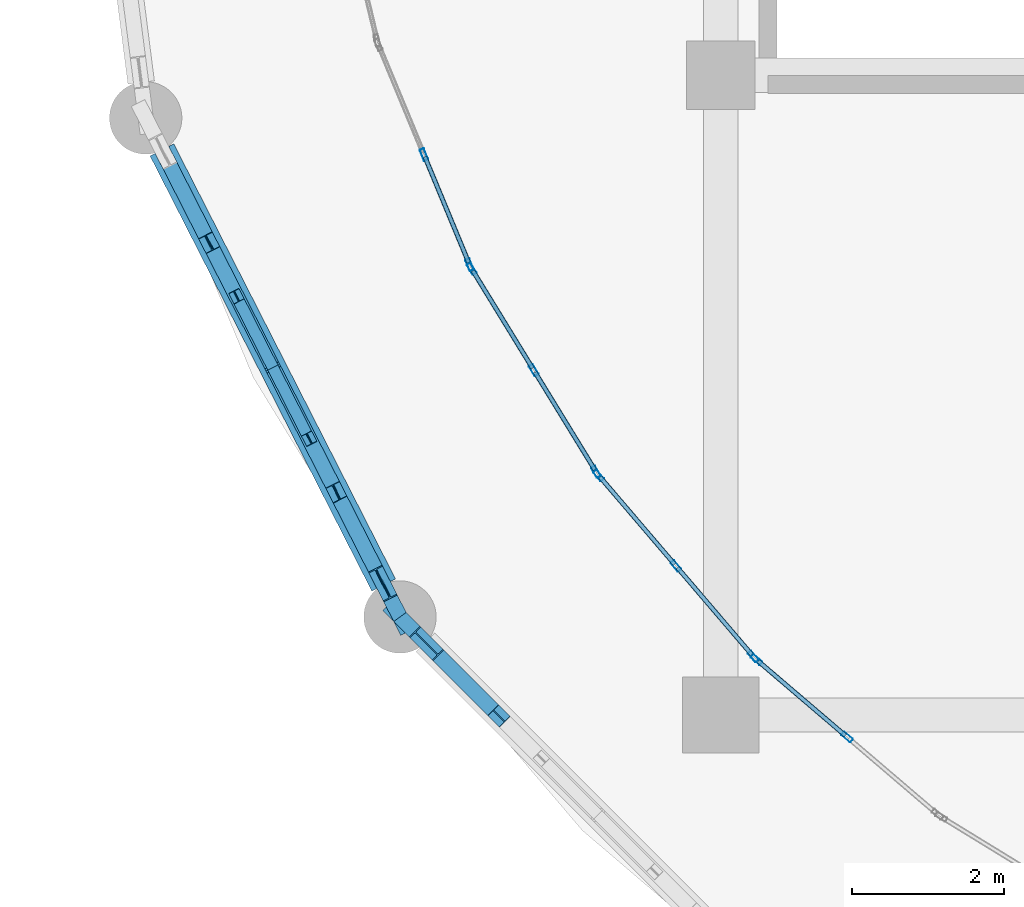
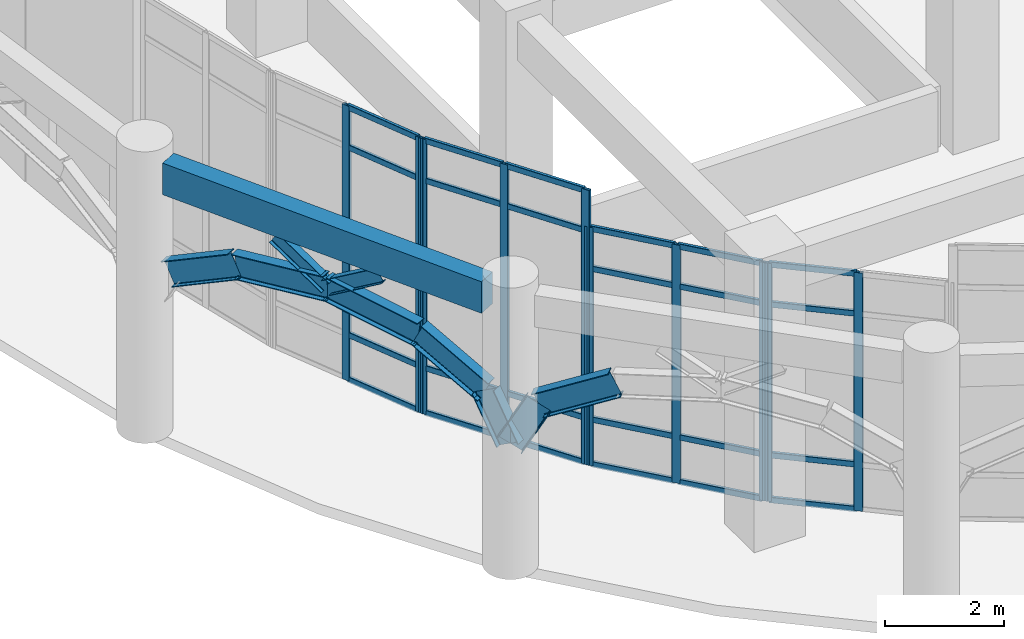
# One storey, part 3 of 82: 36 members, 8 beams, 4 elements without a shape of their own.
"""IFC4 building model written with IfcOpenShell, lengths in metres."""

from ifc_helpers import new_model, si_unit, derived_unit, direction, frame, origin, origin_2d, place, context, subcontext, project, spatial, rectangle, hollow_rectangle, i_section, extrude, material, layer, layer_set, material_profile, profile_set, type_object, element, aggregate, save


model = new_model("IFC4")

# Units and contexts
model_context = context("Model", 3, precision=1e-05, world=origin(), true_north=direction((0.0, 1.0)))
body_context = subcontext(model_context, "Body", "Model", "MODEL_VIEW")
ifc_project = project(units=[si_unit("LENGTHUNIT", "METRE"), si_unit("AREAUNIT", "SQUARE_METRE"), si_unit("VOLUMEUNIT", "CUBIC_METRE"), si_unit("PLANEANGLEUNIT", "RADIAN"), si_unit("MASSUNIT", "GRAM", prefix="KILO"), derived_unit("THERMALTRANSMITTANCEUNIT", [(si_unit("MASSUNIT", "GRAM", prefix="KILO"), 1), (si_unit("TIMEUNIT", "SECOND"), -3), (si_unit("THERMODYNAMICTEMPERATUREUNIT", "KELVIN"), -1)])], contexts=[model_context])

# Site, building, storey
site_placement = place(None, origin())
site = spatial("IfcSite", under=ifc_project, at=site_placement, CompositionType="ELEMENT")
building_placement = place(site_placement, origin())
building = spatial("IfcBuilding", under=site, at=building_placement, Name="Qinzheling Arcade Emporium", CompositionType="ELEMENT")
storey_placement = place(building_placement, origin())
storey = spatial("IfcBuildingStorey", under=building, at=storey_placement, Name="L01", CompositionType="ELEMENT", Elevation=0.0)

# Beams
ifc_material_1 = material(Name="Weathering steel Q355NH", Category="steel")
ifc_material_profile_1 = material_profile(ifc_material_1, i_section(OverallWidth=0.199951171875, OverallDepth=0.5, WebThickness=0.010009765625, FlangeThickness=0.01611328125, FilletRadius=0.01806640625, at=origin_2d()), Name="HN 500x200x10x16", Category="steel")
ifc_profile_set_1 = profile_set([ifc_material_profile_1], Name="Weathering steel Q355NH")
beam_type_1 = type_object("IfcBeamType", Name="Arcade End Arch Rib HN500 Q355NH", PredefinedType="BEAM", material=ifc_profile_set_1)
beam_1_placement = place(storey_placement, frame((1.3740234375, 15.799072265625, 3.387939453125), z_axis=(0.406182894373, -0.798544513318, 0.444232052613), x_axis=(0.891320493951, 0.453373771918, 0.0)))
element("IfcBeam", 1, at=beam_1_placement, inside=storey, type_object=beam_type_1, Name="Curved Arcade Entrance Arch ARC-L01-CV1-B02-C02", PredefinedType="BEAM", context=body_context, shape_type="SweptSolid", body=[
    extrude(i_section(OverallWidth=0.199951171875, OverallDepth=0.5, WebThickness=0.010009765625, FlangeThickness=0.01611328125, FilletRadius=0.01806640625, at=origin_2d()), origin(), (0.0, 0.0, 1.0), 1.50146484375),
])
beam_2_placement = place(storey_placement, frame((1.98388671875, 14.60009765625, 4.054931640625), z_axis=(0.450227632819, -0.883083138326, 0.132133453186), x_axis=(0.890894559015, 0.454210176809, 0.0)))
element("IfcBeam", 2, at=beam_2_placement, inside=storey, type_object=beam_type_1, Name="Curved Arcade Entrance Arch ARC-L01-CV1-B02-C03", PredefinedType="BEAM", context=body_context, shape_type="SweptSolid", body=[
    extrude(i_section(OverallWidth=0.199951171875, OverallDepth=0.5, WebThickness=0.010009765625, FlangeThickness=0.01611328125, FilletRadius=0.01806640625, at=origin_2d()), origin(), (0.0, 0.0, 1.0), 1.85498046875),
])
beam_3_placement = place(storey_placement, frame((2.819091796875, 12.9619140625, 4.300048828125), z_axis=(0.449964359144, -0.883199949666, -0.132249477922), x_axis=(0.89102631267, 0.453951660564, 0.0)))
element("IfcBeam", 3, at=beam_3_placement, inside=storey, type_object=beam_type_1, Name="Curved Arcade Entrance Arch ARC-L01-CV1-B02-C04", PredefinedType="BEAM", context=body_context, shape_type="SweptSolid", body=[
    extrude(i_section(OverallWidth=0.199951171875, OverallDepth=0.5, WebThickness=0.010009765625, FlangeThickness=0.01611328125, FilletRadius=0.01806640625, at=origin_2d()), origin(), (0.0, 0.0, 1.0), 1.853515625),
])
beam_4_placement = place(storey_placement, frame((3.653076171875, 11.324951171875, 4.054931640625), z_axis=(0.406725784007, -0.798333463334, -0.444114645047), x_axis=(0.89102703505, 0.453950242658, 0.0)))
element("IfcBeam", 4, at=beam_4_placement, inside=storey, type_object=beam_type_1, Name="Curved Arcade Entrance Arch ARC-L01-CV1-B02-C05", PredefinedType="BEAM", context=body_context, shape_type="SweptSolid", body=[
    extrude(i_section(OverallWidth=0.199951171875, OverallDepth=0.5, WebThickness=0.010009765625, FlangeThickness=0.01611328125, FilletRadius=0.01806640625, at=origin_2d()), origin(), (0.0, 0.0, 1.0), 1.501953125),
])
beam_5_placement = place(storey_placement, frame((4.263916015625, 10.1259765625, 3.387939453125), z_axis=(0.216040975421, -0.423139078222, -0.879931598149), x_axis=(0.890630875605, 0.454726998779, 0.0)))
element("IfcBeam", 5, at=beam_5_placement, inside=storey, type_object=beam_type_1, Name="Curved Arcade Entrance Arch ARC-L01-CV1-B02-C06", PredefinedType="BEAM", context=body_context, shape_type="SweptSolid", body=[
    extrude(i_section(OverallWidth=0.199951171875, OverallDepth=0.5, WebThickness=0.010009765625, FlangeThickness=0.01611328125, FilletRadius=0.01806640625, at=origin_2d()), origin(), (0.0, 0.0, 1.0), 1.037353515625),
])
beam_6_placement = place(storey_placement, frame((4.488037109375, 9.68701171875, 2.47509765625), z_axis=(0.335490398639, -0.335490398639, 0.880279719658), x_axis=(0.707106781187, 0.707106781187, 0.0)))
element("IfcBeam", 6, at=beam_6_placement, inside=storey, type_object=beam_type_1, Name="Curved Arcade Entrance Arch ARC-L01-CV1-B03-C01", PredefinedType="BEAM", context=body_context, shape_type="SweptSolid", body=[
    extrude(i_section(OverallWidth=0.199951171875, OverallDepth=0.5, WebThickness=0.010009765625, FlangeThickness=0.01611328125, FilletRadius=0.01806640625, at=origin_2d()), origin(), (0.0, 0.0, 1.0), 1.037109375),
])
beam_7_placement = place(storey_placement, frame((4.8359375, 9.339111328125, 3.387939453125), z_axis=(0.633632875076, -0.633632875076, 0.443867952489), x_axis=(0.707106781187, 0.707106781187, 0.0)))
element("IfcBeam", 7, at=beam_7_placement, inside=storey, type_object=beam_type_1, Name="Curved Arcade Entrance Arch ARC-L01-CV1-B03-C02", PredefinedType="BEAM", context=body_context, shape_type="SweptSolid", body=[
    extrude(i_section(OverallWidth=0.199951171875, OverallDepth=0.5, WebThickness=0.010009765625, FlangeThickness=0.01611328125, FilletRadius=0.01806640625, at=origin_2d()), origin(), (0.0, 0.0, 1.0), 1.502685546875),
])

# Members
ifc_material_profile_2 = material_profile(ifc_material_1, i_section(OverallWidth=0.14990234375, OverallDepth=0.300048828125, WebThickness=0.006591796875, FlangeThickness=0.009033203125, FilletRadius=0.012939453125, at=origin_2d()), Name="HN 300x150x6.5x9", Category="steel")
ifc_profile_set_2 = profile_set([ifc_material_profile_2], Name="Weathering steel Q355NH")
member_type_1 = type_object("IfcMemberType", Name="Arcade Spandrel Web Chord HN300 Q355NH", PredefinedType="CHORD", material=ifc_profile_set_2)
member_1_placement = place(storey_placement, frame((2.819091796875, 12.9619140625, 4.31005859375), z_axis=(-0.387807488207, 0.760928305929, 0.52018599109), x_axis=(-0.890961453009, -0.454078946056, 0.0)))
element("IfcMember", 8, at=member_1_placement, inside=storey, type_object=member_type_1, Name="Arcade Spandrel Web Chord ASW-L01-CV1-B02-W1", PredefinedType="CHORD", context=body_context, shape_type="SweptSolid", body=[
    extrude(i_section(OverallWidth=0.14990234375, OverallDepth=0.300048828125, WebThickness=0.006591796875, FlangeThickness=0.009033203125, FilletRadius=0.012939453125, at=origin_2d()), origin(), (0.0, 0.0, 1.0), 1.230224609375),
])
member_2_placement = place(storey_placement, frame((2.819091796875, 12.9619140625, 4.31005859375), z_axis=(0.387931741312, -0.760568682786, 0.520619095739), x_axis=(0.890815681964, 0.454364854238, 0.0)))
element("IfcMember", 9, at=member_2_placement, inside=storey, type_object=member_type_1, Name="Arcade Spandrel Web Chord ASW-L01-CV1-B02-W2", PredefinedType="CHORD", context=body_context, shape_type="SweptSolid", body=[
    extrude(i_section(OverallWidth=0.14990234375, OverallDepth=0.300048828125, WebThickness=0.006591796875, FlangeThickness=0.009033203125, FilletRadius=0.012939453125, at=origin_2d()), origin(), (0.0, 0.0, 1.0), 1.22900390625),
])

# Curtain wall, members
ifc_material_2 = material(Name="Anodised aluminium and solar-control double glazing", Category="aluminium")
ifc_layer = layer(ifc_material_2, 0.159912109375, Name="Anodised aluminium and solar-control double glazing", Category="aluminium")
ifc_layer_set = layer_set([ifc_layer], Name="Anodised aluminium and solar-control double glazing")
curtain_wall_type = type_object("IfcCurtainWallType", Name="Curved Ribbon Sales Curtain Wall", PredefinedType="NOTDEFINED", material=ifc_layer_set)
curtain_wall_1_placement = place(storey_placement, origin())
curtain_wall_1 = element("IfcCurtainWall", 10, at=curtain_wall_1_placement, inside=storey, type_object=curtain_wall_type, Name="Curtain Wall CW-L01-014", PredefinedType="NOTDEFINED")
ifc_material_3 = material(Name="Anodised aluminium 6063-T6", Category="aluminium")
ifc_material_profile_3 = material_profile(ifc_material_3, hollow_rectangle(XDim=0.06005859375, YDim=0.159912109375, WallThickness=0.00390625, InnerFilletRadius=0.00390625, OuterFilletRadius=0.008056640625, at=origin_2d()), Name="RHS 160x60x4", Category="aluminium")
ifc_profile_set_3 = profile_set([ifc_material_profile_3], Name="Anodised aluminium 6063-T6")
member_type_2 = type_object("IfcMemberType", Name="Curtain Wall Mullion RHS160x60", PredefinedType="MULLION", material=ifc_profile_set_3)
member_3_placement = place(storey_placement, frame((10.35693359375, 8.111572265625, 0.0), z_axis=(0.0, 0.0, 1.0), x_axis=(-0.64952366287, -0.76034137818, 0.0)))
member_3 = element("IfcMember", 11, at=member_3_placement, type_object=member_type_2, Name="CW02 mullion 2", PredefinedType="MULLION", context=body_context, shape_type="SweptSolid", body=[
    extrude(hollow_rectangle(XDim=0.06005859375, YDim=0.159912109375, WallThickness=0.00390625, InnerFilletRadius=0.00390625, OuterFilletRadius=0.008056640625, at=origin_2d()), origin(), (0.0, 0.0, 1.0), 4.905029296875),
])
member_4_placement = place(storey_placement, frame((9.168701171875, 9.12646484375, 0.0), z_axis=(0.0, 0.0, 1.0), x_axis=(-0.64952366287, -0.76034137818, 0.0)))
member_4 = element("IfcMember", 12, at=member_4_placement, type_object=member_type_2, Name="CW02 mullion 3", PredefinedType="MULLION", context=body_context, shape_type="SweptSolid", body=[
    extrude(hollow_rectangle(XDim=0.06005859375, YDim=0.159912109375, WallThickness=0.00390625, InnerFilletRadius=0.00390625, OuterFilletRadius=0.008056640625, at=origin_2d()), origin(), (0.0, 0.0, 1.0), 4.905029296875),
])

curtain_wall_2_placement = place(storey_placement, origin())
curtain_wall_2 = element("IfcCurtainWall", 13, at=curtain_wall_2_placement, inside=storey, type_object=curtain_wall_type, Name="Curtain Wall CW-L01-015", PredefinedType="NOTDEFINED")
member_5_placement = place(storey_placement, frame((9.12646484375, 9.168701171875, 0.0), z_axis=(0.0, 0.0, 1.0), x_axis=(-0.76034137818, -0.64952366287, 0.0)))
member_5 = element("IfcMember", 14, at=member_5_placement, type_object=member_type_2, Name="CW02 mullion 1", PredefinedType="MULLION", context=body_context, shape_type="SweptSolid", body=[
    extrude(hollow_rectangle(XDim=0.06005859375, YDim=0.159912109375, WallThickness=0.00390625, InnerFilletRadius=0.00390625, OuterFilletRadius=0.008056640625, at=origin_2d()), origin(), (0.0, 0.0, 1.0), 4.905029296875),
])
member_6_placement = place(storey_placement, frame((8.111572265625, 10.35693359375, 0.0), z_axis=(0.0, 0.0, 1.0), x_axis=(-0.76034137818, -0.64952366287, 0.0)))
member_6 = element("IfcMember", 15, at=member_6_placement, type_object=member_type_2, Name="CW02 mullion 2", PredefinedType="MULLION", context=body_context, shape_type="SweptSolid", body=[
    extrude(hollow_rectangle(XDim=0.06005859375, YDim=0.159912109375, WallThickness=0.00390625, InnerFilletRadius=0.00390625, OuterFilletRadius=0.008056640625, at=origin_2d()), origin(), (0.0, 0.0, 1.0), 4.905029296875),
])
member_7_placement = place(storey_placement, frame((7.096435546875, 11.545166015625, 0.0), z_axis=(0.0, 0.0, 1.0), x_axis=(-0.76034137818, -0.64952366287, 0.0)))
member_7 = element("IfcMember", 16, at=member_7_placement, type_object=member_type_2, Name="CW02 mullion 3", PredefinedType="MULLION", context=body_context, shape_type="SweptSolid", body=[
    extrude(hollow_rectangle(XDim=0.06005859375, YDim=0.159912109375, WallThickness=0.00390625, InnerFilletRadius=0.00390625, OuterFilletRadius=0.008056640625, at=origin_2d()), origin(), (0.0, 0.0, 1.0), 4.905029296875),
])

curtain_wall_3_placement = place(storey_placement, origin())
curtain_wall_3 = element("IfcCurtainWall", 17, at=curtain_wall_3_placement, inside=storey, type_object=curtain_wall_type, Name="Curtain Wall CW-L01-016", PredefinedType="NOTDEFINED")
member_8_placement = place(storey_placement, frame((7.061279296875, 11.593505859375, 0.0), z_axis=(0.0, 0.0, 1.0), x_axis=(-0.852691482854, -0.522414811302, 0.0)))
member_8 = element("IfcMember", 18, at=member_8_placement, type_object=member_type_2, Name="CW02 mullion 1", PredefinedType="MULLION", context=body_context, shape_type="SweptSolid", body=[
    extrude(hollow_rectangle(XDim=0.06005859375, YDim=0.159912109375, WallThickness=0.00390625, InnerFilletRadius=0.00390625, OuterFilletRadius=0.008056640625, at=origin_2d()), origin(), (0.0, 0.0, 1.0), 5.659912109375),
])
member_9_placement = place(storey_placement, frame((6.2451171875, 12.926025390625, 0.0), z_axis=(0.0, 0.0, 1.0), x_axis=(-0.852691482854, -0.522414811302, 0.0)))
member_9 = element("IfcMember", 19, at=member_9_placement, type_object=member_type_2, Name="CW02 mullion 2", PredefinedType="MULLION", context=body_context, shape_type="SweptSolid", body=[
    extrude(hollow_rectangle(XDim=0.06005859375, YDim=0.159912109375, WallThickness=0.00390625, InnerFilletRadius=0.00390625, OuterFilletRadius=0.008056640625, at=origin_2d()), origin(), (0.0, 0.0, 1.0), 5.659912109375),
])
member_10_placement = place(storey_placement, frame((5.4287109375, 14.25830078125, 0.0), z_axis=(0.0, 0.0, 1.0), x_axis=(-0.852691482854, -0.522414811302, 0.0)))
member_10 = element("IfcMember", 20, at=member_10_placement, type_object=member_type_2, Name="CW02 mullion 3", PredefinedType="MULLION", context=body_context, shape_type="SweptSolid", body=[
    extrude(hollow_rectangle(XDim=0.06005859375, YDim=0.159912109375, WallThickness=0.00390625, InnerFilletRadius=0.00390625, OuterFilletRadius=0.008056640625, at=origin_2d()), origin(), (0.0, 0.0, 1.0), 5.659912109375),
])

curtain_wall_4_placement = place(storey_placement, origin())
curtain_wall_4 = element("IfcCurtainWall", 21, at=curtain_wall_4_placement, inside=storey, type_object=curtain_wall_type, Name="Curtain Wall CW-L01-017", PredefinedType="NOTDEFINED")
member_11_placement = place(storey_placement, frame((5.401611328125, 14.311767578125, 0.0), z_axis=(0.0, 0.0, 1.0), x_axis=(-0.923882919212, -0.382675256043, 0.0)))
member_11 = element("IfcMember", 22, at=member_11_placement, type_object=member_type_2, Name="CW02 mullion 1", PredefinedType="MULLION", context=body_context, shape_type="SweptSolid", body=[
    extrude(hollow_rectangle(XDim=0.06005859375, YDim=0.159912109375, WallThickness=0.00390625, InnerFilletRadius=0.00390625, OuterFilletRadius=0.008056640625, at=origin_2d()), origin(), (0.0, 0.0, 1.0), 5.659912109375),
])
member_12_placement = place(storey_placement, frame((4.803466796875, 15.755615234375, 0.0), z_axis=(0.0, 0.0, 1.0), x_axis=(-0.923882919212, -0.382675256043, 0.0)))
member_12 = element("IfcMember", 23, at=member_12_placement, type_object=member_type_2, Name="CW02 mullion 2", PredefinedType="MULLION", context=body_context, shape_type="SweptSolid", body=[
    extrude(hollow_rectangle(XDim=0.06005859375, YDim=0.159912109375, WallThickness=0.00390625, InnerFilletRadius=0.00390625, OuterFilletRadius=0.008056640625, at=origin_2d()), origin(), (0.0, 0.0, 1.0), 5.659912109375),
])

# Member
ifc_material_profile_4 = material_profile(ifc_material_3, hollow_rectangle(XDim=0.06005859375, YDim=0.1201171875, WallThickness=0.00390625, InnerFilletRadius=0.00390625, OuterFilletRadius=0.008056640625, at=origin_2d()), Name="RHS 120x60x4", Category="aluminium")
ifc_profile_set_4 = profile_set([ifc_material_profile_4], Name="Anodised aluminium 6063-T6")
member_type_3 = type_object("IfcMemberType", Name="Curtain Wall Transom RHS120x60", PredefinedType="USERDEFINED", material=ifc_profile_set_4)
member_13_placement = place(storey_placement, frame((10.334228515625, 8.131103515625, 0.030029296875), z_axis=(-0.760413797665, 0.649438878048, 0.0), x_axis=(-0.649438878048, -0.760413797665, 0.0)))
member_13 = element("IfcMember", 24, at=member_13_placement, type_object=member_type_3, Name="CW02 transom 2.1", ObjectType="TRANSOM", PredefinedType="USERDEFINED", context=body_context, shape_type="SweptSolid", body=[
    extrude(hollow_rectangle(XDim=0.06005859375, YDim=0.1201171875, WallThickness=0.00390625, InnerFilletRadius=0.00390625, OuterFilletRadius=0.008056640625, at=origin_2d()), origin(), (0.0, 0.0, 1.0), 1.502685546875),
])

member_14_placement = place(storey_placement, frame((10.334228515625, 8.131103515625, 0.949951171875), z_axis=(-0.760413797665, 0.649438878048, 0.0), x_axis=(-0.649438878048, -0.760413797665, 0.0)))
member_14 = element("IfcMember", 25, at=member_14_placement, type_object=member_type_3, Name="CW02 transom 2.2", ObjectType="TRANSOM", PredefinedType="USERDEFINED", context=body_context, shape_type="SweptSolid", body=[
    extrude(hollow_rectangle(XDim=0.06005859375, YDim=0.1201171875, WallThickness=0.00390625, InnerFilletRadius=0.00390625, OuterFilletRadius=0.008056640625, at=origin_2d()), origin(), (0.0, 0.0, 1.0), 1.502685546875),
])

member_15_placement = place(storey_placement, frame((10.334228515625, 8.131103515625, 4.054931640625), z_axis=(-0.760413797665, 0.649438878048, 0.0), x_axis=(-0.649438878048, -0.760413797665, 0.0)))
member_15 = element("IfcMember", 26, at=member_15_placement, type_object=member_type_3, Name="CW02 transom 2.3", ObjectType="TRANSOM", PredefinedType="USERDEFINED", context=body_context, shape_type="SweptSolid", body=[
    extrude(hollow_rectangle(XDim=0.06005859375, YDim=0.1201171875, WallThickness=0.00390625, InnerFilletRadius=0.00390625, OuterFilletRadius=0.008056640625, at=origin_2d()), origin(), (0.0, 0.0, 1.0), 1.502685546875),
])

member_16_placement = place(storey_placement, frame((10.334228515625, 8.131103515625, 4.875), z_axis=(-0.760413797665, 0.649438878048, 0.0), x_axis=(-0.649438878048, -0.760413797665, 0.0)))
member_16 = element("IfcMember", 27, at=member_16_placement, type_object=member_type_3, Name="CW02 transom 2.4", ObjectType="TRANSOM", PredefinedType="USERDEFINED", context=body_context, shape_type="SweptSolid", body=[
    extrude(hollow_rectangle(XDim=0.06005859375, YDim=0.1201171875, WallThickness=0.00390625, InnerFilletRadius=0.00390625, OuterFilletRadius=0.008056640625, at=origin_2d()), origin(), (0.0, 0.0, 1.0), 1.502685546875),
])

aggregate(curtain_wall_1, [member_3, member_4, member_13, member_14, member_15, member_16])

member_17_placement = place(storey_placement, frame((9.10693359375, 9.191650390625, 0.030029296875), z_axis=(-0.649438878048, 0.760413797665, 0.0), x_axis=(-0.760413797665, -0.649438878048, 0.0)))
member_17 = element("IfcMember", 28, at=member_17_placement, type_object=member_type_3, Name="CW02 transom 1.1", ObjectType="TRANSOM", PredefinedType="USERDEFINED", context=body_context, shape_type="SweptSolid", body=[
    extrude(hollow_rectangle(XDim=0.06005859375, YDim=0.1201171875, WallThickness=0.00390625, InnerFilletRadius=0.00390625, OuterFilletRadius=0.008056640625, at=origin_2d()), origin(), (0.0, 0.0, 1.0), 1.502685546875),
])

member_18_placement = place(storey_placement, frame((9.10693359375, 9.191650390625, 0.949951171875), z_axis=(-0.649438878048, 0.760413797665, 0.0), x_axis=(-0.760413797665, -0.649438878048, 0.0)))
member_18 = element("IfcMember", 29, at=member_18_placement, type_object=member_type_3, Name="CW02 transom 1.2", ObjectType="TRANSOM", PredefinedType="USERDEFINED", context=body_context, shape_type="SweptSolid", body=[
    extrude(hollow_rectangle(XDim=0.06005859375, YDim=0.1201171875, WallThickness=0.00390625, InnerFilletRadius=0.00390625, OuterFilletRadius=0.008056640625, at=origin_2d()), origin(), (0.0, 0.0, 1.0), 1.502685546875),
])

member_19_placement = place(storey_placement, frame((9.10693359375, 9.191650390625, 4.054931640625), z_axis=(-0.649438878048, 0.760413797665, 0.0), x_axis=(-0.760413797665, -0.649438878048, 0.0)))
member_19 = element("IfcMember", 30, at=member_19_placement, type_object=member_type_3, Name="CW02 transom 1.3", ObjectType="TRANSOM", PredefinedType="USERDEFINED", context=body_context, shape_type="SweptSolid", body=[
    extrude(hollow_rectangle(XDim=0.06005859375, YDim=0.1201171875, WallThickness=0.00390625, InnerFilletRadius=0.00390625, OuterFilletRadius=0.008056640625, at=origin_2d()), origin(), (0.0, 0.0, 1.0), 1.502685546875),
])

member_20_placement = place(storey_placement, frame((9.10693359375, 9.191650390625, 4.875), z_axis=(-0.649438878048, 0.760413797665, 0.0), x_axis=(-0.760413797665, -0.649438878048, 0.0)))
member_20 = element("IfcMember", 31, at=member_20_placement, type_object=member_type_3, Name="CW02 transom 1.4", ObjectType="TRANSOM", PredefinedType="USERDEFINED", context=body_context, shape_type="SweptSolid", body=[
    extrude(hollow_rectangle(XDim=0.06005859375, YDim=0.1201171875, WallThickness=0.00390625, InnerFilletRadius=0.00390625, OuterFilletRadius=0.008056640625, at=origin_2d()), origin(), (0.0, 0.0, 1.0), 1.502685546875),
])

member_21_placement = place(storey_placement, frame((8.092041015625, 10.3798828125, 0.030029296875), z_axis=(-0.649532814764, 0.760333560054, 0.0), x_axis=(-0.760333560054, -0.649532814764, 0.0)))
member_21 = element("IfcMember", 32, at=member_21_placement, type_object=member_type_3, Name="CW02 transom 2.1", ObjectType="TRANSOM", PredefinedType="USERDEFINED", context=body_context, shape_type="SweptSolid", body=[
    extrude(hollow_rectangle(XDim=0.06005859375, YDim=0.1201171875, WallThickness=0.00390625, InnerFilletRadius=0.00390625, OuterFilletRadius=0.008056640625, at=origin_2d()), origin(), (0.0, 0.0, 1.0), 1.502685546875),
])

member_22_placement = place(storey_placement, frame((8.092041015625, 10.3798828125, 0.949951171875), z_axis=(-0.649532814764, 0.760333560054, 0.0), x_axis=(-0.760333560054, -0.649532814764, 0.0)))
member_22 = element("IfcMember", 33, at=member_22_placement, type_object=member_type_3, Name="CW02 transom 2.2", ObjectType="TRANSOM", PredefinedType="USERDEFINED", context=body_context, shape_type="SweptSolid", body=[
    extrude(hollow_rectangle(XDim=0.06005859375, YDim=0.1201171875, WallThickness=0.00390625, InnerFilletRadius=0.00390625, OuterFilletRadius=0.008056640625, at=origin_2d()), origin(), (0.0, 0.0, 1.0), 1.502685546875),
])

member_23_placement = place(storey_placement, frame((8.092041015625, 10.3798828125, 4.054931640625), z_axis=(-0.649532814764, 0.760333560054, 0.0), x_axis=(-0.760333560054, -0.649532814764, 0.0)))
member_23 = element("IfcMember", 34, at=member_23_placement, type_object=member_type_3, Name="CW02 transom 2.3", ObjectType="TRANSOM", PredefinedType="USERDEFINED", context=body_context, shape_type="SweptSolid", body=[
    extrude(hollow_rectangle(XDim=0.06005859375, YDim=0.1201171875, WallThickness=0.00390625, InnerFilletRadius=0.00390625, OuterFilletRadius=0.008056640625, at=origin_2d()), origin(), (0.0, 0.0, 1.0), 1.502685546875),
])

member_24_placement = place(storey_placement, frame((8.092041015625, 10.3798828125, 4.875), z_axis=(-0.649532814764, 0.760333560054, 0.0), x_axis=(-0.760333560054, -0.649532814764, 0.0)))
member_24 = element("IfcMember", 35, at=member_24_placement, type_object=member_type_3, Name="CW02 transom 2.4", ObjectType="TRANSOM", PredefinedType="USERDEFINED", context=body_context, shape_type="SweptSolid", body=[
    extrude(hollow_rectangle(XDim=0.06005859375, YDim=0.1201171875, WallThickness=0.00390625, InnerFilletRadius=0.00390625, OuterFilletRadius=0.008056640625, at=origin_2d()), origin(), (0.0, 0.0, 1.0), 1.502685546875),
])

aggregate(curtain_wall_2, [member_5, member_6, member_7, member_17, member_18, member_19, member_20, member_21, member_22, member_23, member_24])

member_25_placement = place(storey_placement, frame((7.045654296875, 11.619140625, 0.030029296875), z_axis=(-0.52238297092, 0.852710989546, 0.0), x_axis=(-0.852710989546, -0.52238297092, 0.0)))
member_25 = element("IfcMember", 36, at=member_25_placement, type_object=member_type_3, Name="CW02 transom 1.1", ObjectType="TRANSOM", PredefinedType="USERDEFINED", context=body_context, shape_type="SweptSolid", body=[
    extrude(hollow_rectangle(XDim=0.06005859375, YDim=0.1201171875, WallThickness=0.00390625, InnerFilletRadius=0.00390625, OuterFilletRadius=0.008056640625, at=origin_2d()), origin(), (0.0, 0.0, 1.0), 1.50244140625),
])

member_26_placement = place(storey_placement, frame((7.045654296875, 11.619140625, 0.949951171875), z_axis=(-0.52238297092, 0.852710989546, 0.0), x_axis=(-0.852710989546, -0.52238297092, 0.0)))
member_26 = element("IfcMember", 37, at=member_26_placement, type_object=member_type_3, Name="CW02 transom 1.2", ObjectType="TRANSOM", PredefinedType="USERDEFINED", context=body_context, shape_type="SweptSolid", body=[
    extrude(hollow_rectangle(XDim=0.06005859375, YDim=0.1201171875, WallThickness=0.00390625, InnerFilletRadius=0.00390625, OuterFilletRadius=0.008056640625, at=origin_2d()), origin(), (0.0, 0.0, 1.0), 1.50244140625),
])

member_27_placement = place(storey_placement, frame((7.045654296875, 11.619140625, 4.81005859375), z_axis=(-0.52238297092, 0.852710989546, 0.0), x_axis=(-0.852710989546, -0.52238297092, 0.0)))
member_27 = element("IfcMember", 38, at=member_27_placement, type_object=member_type_3, Name="CW02 transom 1.3", ObjectType="TRANSOM", PredefinedType="USERDEFINED", context=body_context, shape_type="SweptSolid", body=[
    extrude(hollow_rectangle(XDim=0.06005859375, YDim=0.1201171875, WallThickness=0.00390625, InnerFilletRadius=0.00390625, OuterFilletRadius=0.008056640625, at=origin_2d()), origin(), (0.0, 0.0, 1.0), 1.50244140625),
])

member_28_placement = place(storey_placement, frame((7.045654296875, 11.619140625, 5.6298828125), z_axis=(-0.52238297092, 0.852710989546, 0.0), x_axis=(-0.852710989546, -0.52238297092, 0.0)))
member_28 = element("IfcMember", 39, at=member_28_placement, type_object=member_type_3, Name="CW02 transom 1.4", ObjectType="TRANSOM", PredefinedType="USERDEFINED", context=body_context, shape_type="SweptSolid", body=[
    extrude(hollow_rectangle(XDim=0.06005859375, YDim=0.1201171875, WallThickness=0.00390625, InnerFilletRadius=0.00390625, OuterFilletRadius=0.008056640625, at=origin_2d()), origin(), (0.0, 0.0, 1.0), 1.50244140625),
])

member_29_placement = place(storey_placement, frame((6.229248046875, 12.95166015625, 0.030029296875), z_axis=(-0.52238297092, 0.852710989546, 0.0), x_axis=(-0.852710989546, -0.52238297092, 0.0)))
member_29 = element("IfcMember", 40, at=member_29_placement, type_object=member_type_3, Name="CW02 transom 2.1", ObjectType="TRANSOM", PredefinedType="USERDEFINED", context=body_context, shape_type="SweptSolid", body=[
    extrude(hollow_rectangle(XDim=0.06005859375, YDim=0.1201171875, WallThickness=0.00390625, InnerFilletRadius=0.00390625, OuterFilletRadius=0.008056640625, at=origin_2d()), origin(), (0.0, 0.0, 1.0), 1.50244140625),
])

member_30_placement = place(storey_placement, frame((6.229248046875, 12.95166015625, 0.949951171875), z_axis=(-0.52238297092, 0.852710989546, 0.0), x_axis=(-0.852710989546, -0.52238297092, 0.0)))
member_30 = element("IfcMember", 41, at=member_30_placement, type_object=member_type_3, Name="CW02 transom 2.2", ObjectType="TRANSOM", PredefinedType="USERDEFINED", context=body_context, shape_type="SweptSolid", body=[
    extrude(hollow_rectangle(XDim=0.06005859375, YDim=0.1201171875, WallThickness=0.00390625, InnerFilletRadius=0.00390625, OuterFilletRadius=0.008056640625, at=origin_2d()), origin(), (0.0, 0.0, 1.0), 1.50244140625),
])

member_31_placement = place(storey_placement, frame((6.229248046875, 12.95166015625, 4.81005859375), z_axis=(-0.52238297092, 0.852710989546, 0.0), x_axis=(-0.852710989546, -0.52238297092, 0.0)))
member_31 = element("IfcMember", 42, at=member_31_placement, type_object=member_type_3, Name="CW02 transom 2.3", ObjectType="TRANSOM", PredefinedType="USERDEFINED", context=body_context, shape_type="SweptSolid", body=[
    extrude(hollow_rectangle(XDim=0.06005859375, YDim=0.1201171875, WallThickness=0.00390625, InnerFilletRadius=0.00390625, OuterFilletRadius=0.008056640625, at=origin_2d()), origin(), (0.0, 0.0, 1.0), 1.50244140625),
])

member_32_placement = place(storey_placement, frame((6.229248046875, 12.95166015625, 5.6298828125), z_axis=(-0.52238297092, 0.852710989546, 0.0), x_axis=(-0.852710989546, -0.52238297092, 0.0)))
member_32 = element("IfcMember", 43, at=member_32_placement, type_object=member_type_3, Name="CW02 transom 2.4", ObjectType="TRANSOM", PredefinedType="USERDEFINED", context=body_context, shape_type="SweptSolid", body=[
    extrude(hollow_rectangle(XDim=0.06005859375, YDim=0.1201171875, WallThickness=0.00390625, InnerFilletRadius=0.00390625, OuterFilletRadius=0.008056640625, at=origin_2d()), origin(), (0.0, 0.0, 1.0), 1.50244140625),
])

aggregate(curtain_wall_3, [member_8, member_9, member_10, member_25, member_26, member_27, member_28, member_29, member_30, member_31, member_32])

member_33_placement = place(storey_placement, frame((5.39013671875, 14.33935546875, 0.030029296875), z_axis=(-0.38273438548, 0.923858425394, 0.0), x_axis=(-0.923858425394, -0.38273438548, 0.0)))
member_33 = element("IfcMember", 44, at=member_33_placement, type_object=member_type_3, Name="CW02 transom 1.1", ObjectType="TRANSOM", PredefinedType="USERDEFINED", context=body_context, shape_type="SweptSolid", body=[
    extrude(hollow_rectangle(XDim=0.06005859375, YDim=0.1201171875, WallThickness=0.00390625, InnerFilletRadius=0.00390625, OuterFilletRadius=0.008056640625, at=origin_2d()), origin(), (0.0, 0.0, 1.0), 1.5029296875),
])

member_34_placement = place(storey_placement, frame((5.39013671875, 14.33935546875, 0.949951171875), z_axis=(-0.38273438548, 0.923858425394, 0.0), x_axis=(-0.923858425394, -0.38273438548, 0.0)))
member_34 = element("IfcMember", 45, at=member_34_placement, type_object=member_type_3, Name="CW02 transom 1.2", ObjectType="TRANSOM", PredefinedType="USERDEFINED", context=body_context, shape_type="SweptSolid", body=[
    extrude(hollow_rectangle(XDim=0.06005859375, YDim=0.1201171875, WallThickness=0.00390625, InnerFilletRadius=0.00390625, OuterFilletRadius=0.008056640625, at=origin_2d()), origin(), (0.0, 0.0, 1.0), 1.5029296875),
])

member_35_placement = place(storey_placement, frame((5.39013671875, 14.33935546875, 4.81005859375), z_axis=(-0.38273438548, 0.923858425394, 0.0), x_axis=(-0.923858425394, -0.38273438548, 0.0)))
member_35 = element("IfcMember", 46, at=member_35_placement, type_object=member_type_3, Name="CW02 transom 1.3", ObjectType="TRANSOM", PredefinedType="USERDEFINED", context=body_context, shape_type="SweptSolid", body=[
    extrude(hollow_rectangle(XDim=0.06005859375, YDim=0.1201171875, WallThickness=0.00390625, InnerFilletRadius=0.00390625, OuterFilletRadius=0.008056640625, at=origin_2d()), origin(), (0.0, 0.0, 1.0), 1.5029296875),
])

member_36_placement = place(storey_placement, frame((5.39013671875, 14.33935546875, 5.6298828125), z_axis=(-0.38273438548, 0.923858425394, 0.0), x_axis=(-0.923858425394, -0.38273438548, 0.0)))
member_36 = element("IfcMember", 47, at=member_36_placement, type_object=member_type_3, Name="CW02 transom 1.4", ObjectType="TRANSOM", PredefinedType="USERDEFINED", context=body_context, shape_type="SweptSolid", body=[
    extrude(hollow_rectangle(XDim=0.06005859375, YDim=0.1201171875, WallThickness=0.00390625, InnerFilletRadius=0.00390625, OuterFilletRadius=0.008056640625, at=origin_2d()), origin(), (0.0, 0.0, 1.0), 1.5029296875),
])

aggregate(curtain_wall_4, [member_11, member_12, member_33, member_34, member_35, member_36])

# Beam
ifc_material_4 = material(Name="Concrete C40", Category="concrete")
ifc_material_profile_5 = material_profile(ifc_material_4, rectangle(XDim=0.35009765625, YDim=0.64990234375, at=origin_2d()), Name="RC 350x650", Category="concrete")
ifc_profile_set_5 = profile_set([ifc_material_profile_5], Name="Concrete C40")
beam_type_2 = type_object("IfcBeamType", Name="RC Spandrel Edge Beam 350x650 C40", PredefinedType="SPANDREL", material=ifc_profile_set_5)
beam_8_placement = place(storey_placement, frame((1.363037109375, 15.819091796875, 5.39501953125), z_axis=(0.454099157657, -0.890951151868, 0.0), x_axis=(0.890951151868, 0.454099157657, 0.0)))
element("IfcBeam", 48, at=beam_8_placement, inside=storey, type_object=beam_type_2, Name="Curved Arcade Spandrel BM-L01-CV1-B02", PredefinedType="SPANDREL", context=body_context, shape_type="SweptSolid", body=[
    extrude(rectangle(XDim=0.35009765625, YDim=0.64990234375, at=origin_2d()), origin(), (0.0, 0.0, 1.0), 6.412353515625),
])

save(model, "model.ifc")
